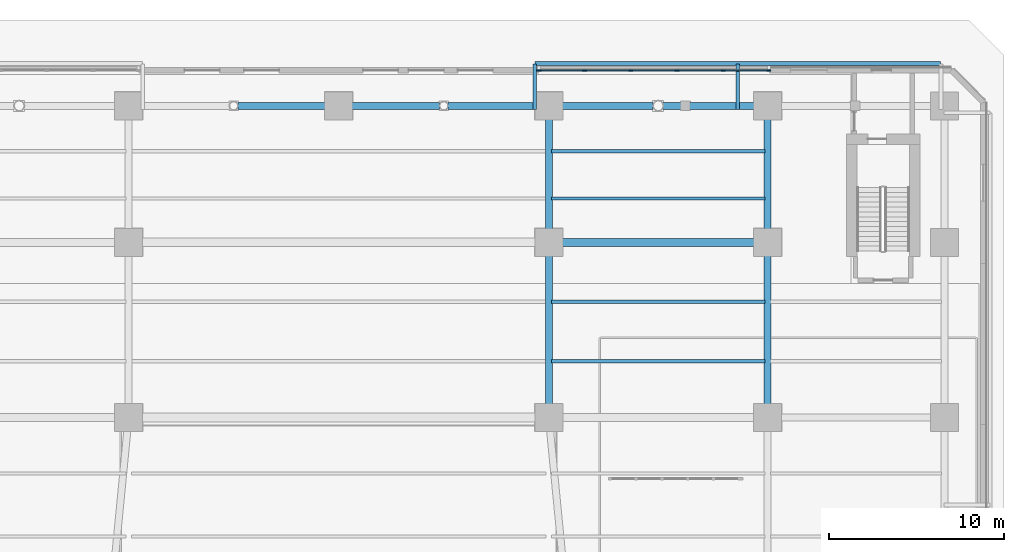
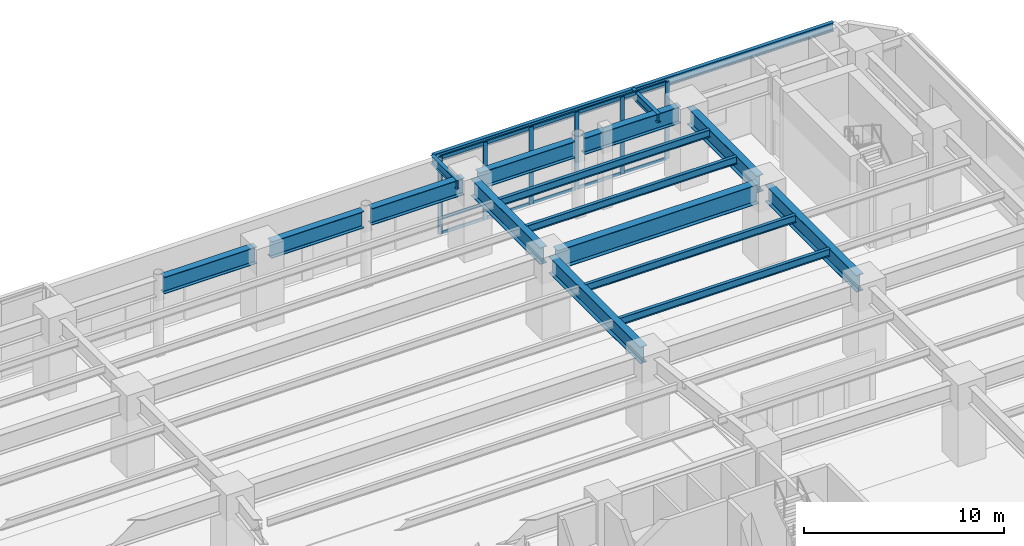
# One storey, part 11 of 26: 21 members, 17 beams, 1 element without a shape of its own.
"""IFC4 building model written with IfcOpenShell, lengths in metres."""

from ifc_helpers import new_model, si_unit, direction, frame, origin, origin_2d, place, context, subcontext, project, spatial, rectangle, i_section, extrude, material, material_profile, profile_set, type_object, element, aggregate, save


model = new_model("IFC4")

# Units and contexts
model_context = context("Model", 3, precision=1e-05, world=origin(), true_north=direction((0.0, 1.0)))
body_context = subcontext(model_context, "Body", "Model", "MODEL_VIEW")
ifc_project = project(units=[si_unit("LENGTHUNIT", "METRE"), si_unit("AREAUNIT", "SQUARE_METRE"), si_unit("VOLUMEUNIT", "CUBIC_METRE"), si_unit("PLANEANGLEUNIT", "RADIAN"), si_unit("MASSUNIT", "GRAM", prefix="KILO")], contexts=[model_context])

# Site, building, storey
site_placement = place(None, origin())
site = spatial("IfcSite", under=ifc_project, at=site_placement, CompositionType="ELEMENT")
building_placement = place(site_placement, origin())
building = spatial("IfcBuilding", under=site, at=building_placement, Name="Quenlor Broadcast Tower", CompositionType="ELEMENT")
storey_placement = place(building_placement, origin())
storey = spatial("IfcBuildingStorey", under=building, at=storey_placement, Name="L00", CompositionType="ELEMENT", Elevation=0.0)

# Curtain wall, members
ifc_material_1 = material(Name="Architectural Terracotta and Low-E Glazing", Category="masonry")
curtain_wall_type = type_object("IfcCurtainWallType", Name="Station Concourse and Crown Terracotta Curtain Wall", PredefinedType="NOTDEFINED", material=ifc_material_1)
curtain_wall_placement = place(storey_placement, origin())
curtain_wall = element("IfcCurtainWall", 1, at=curtain_wall_placement, inside=storey, type_object=curtain_wall_type, Name="L00 Curtain Wall CW6 (L00-N-E)", PredefinedType="NOTDEFINED")
ifc_material_2 = material(Name="Aluminium 6063-T6", Category="aluminium")
ifc_material_profile_1 = material_profile(ifc_material_2, rectangle(XDim=0.08203125, YDim=0.239990234375, at=origin_2d()))
ifc_profile_set_1 = profile_set([ifc_material_profile_1], Name="Aluminium 6063-T6 MULL82x240")
member_type_1 = type_object("IfcMemberType", Name="CW6 Aluminium Mullion MULL_CW6", PredefinedType="MULLION", material=ifc_profile_set_1)
member_1_placement = place(storey_placement, frame((11.44091796875, 24.820068359375, 0.0), z_axis=(0.0, 0.0, 1.0), x_axis=(0.0, 1.0, 0.0)))
member_1 = element("IfcMember", 2, at=member_1_placement, type_object=member_type_1, Name="CW6 mullion 1", PredefinedType="MULLION", context=body_context, shape_type="SweptSolid", body=[
    extrude(rectangle(XDim=0.08203125, YDim=0.239990234375, at=origin_2d()), origin(), (0.0, 0.0, 1.0), 4.699951171875),
])
member_2_placement = place(storey_placement, frame((14.0400390625, 24.820068359375, 0.0), z_axis=(0.0, 0.0, 1.0), x_axis=(0.0, 1.0, 0.0)))
member_2 = element("IfcMember", 3, at=member_2_placement, type_object=member_type_1, Name="CW6 mullion 2", PredefinedType="MULLION", context=body_context, shape_type="SweptSolid", body=[
    extrude(rectangle(XDim=0.08203125, YDim=0.239990234375, at=origin_2d()), origin(), (0.0, 0.0, 1.0), 4.699951171875),
])
member_3_placement = place(storey_placement, frame((16.679931640625, 24.820068359375, 0.0), z_axis=(0.0, 0.0, 1.0), x_axis=(0.0, 1.0, 0.0)))
member_3 = element("IfcMember", 4, at=member_3_placement, type_object=member_type_1, Name="CW6 mullion 3", PredefinedType="MULLION", context=body_context, shape_type="SweptSolid", body=[
    extrude(rectangle(XDim=0.08203125, YDim=0.239990234375, at=origin_2d()), origin(), (0.0, 0.0, 1.0), 4.699951171875),
])
member_4_placement = place(storey_placement, frame((19.320068359375, 24.820068359375, 0.0), z_axis=(0.0, 0.0, 1.0), x_axis=(0.0, 1.0, 0.0)))
member_4 = element("IfcMember", 5, at=member_4_placement, type_object=member_type_1, Name="CW6 mullion 4", PredefinedType="MULLION", context=body_context, shape_type="SweptSolid", body=[
    extrude(rectangle(XDim=0.08203125, YDim=0.239990234375, at=origin_2d()), origin(), (0.0, 0.0, 1.0), 4.699951171875),
])
member_5_placement = place(storey_placement, frame((21.9599609375, 24.820068359375, 0.0), z_axis=(0.0, 0.0, 1.0), x_axis=(0.0, 1.0, 0.0)))
member_5 = element("IfcMember", 6, at=member_5_placement, type_object=member_type_1, Name="CW6 mullion 5", PredefinedType="MULLION", context=body_context, shape_type="SweptSolid", body=[
    extrude(rectangle(XDim=0.08203125, YDim=0.239990234375, at=origin_2d()), origin(), (0.0, 0.0, 1.0), 4.699951171875),
])
member_6_placement = place(storey_placement, frame((24.55908203125, 24.820068359375, 0.0), z_axis=(0.0, 0.0, 1.0), x_axis=(0.0, 1.0, 0.0)))
member_6 = element("IfcMember", 7, at=member_6_placement, type_object=member_type_1, Name="CW6 mullion 6", PredefinedType="MULLION", context=body_context, shape_type="SweptSolid", body=[
    extrude(rectangle(XDim=0.08203125, YDim=0.239990234375, at=origin_2d()), origin(), (0.0, 0.0, 1.0), 4.699951171875),
])
ifc_material_3 = material(Name="Aluminium 6063-T6", Category="aluminium")
ifc_material_profile_2 = material_profile(ifc_material_3, rectangle(XDim=0.08203125, YDim=0.195068359375, at=origin_2d()))
ifc_profile_set_2 = profile_set([ifc_material_profile_2], Name="Aluminium 6063-T6 TRAN82x195")
member_type_2 = type_object("IfcMemberType", Name="CW6 Aluminium Transom TRAN_CW6", PredefinedType="USERDEFINED", material=ifc_profile_set_2)
member_7_placement = place(storey_placement, frame((11.48193359375, 24.820068359375, 0.041015625), z_axis=(1.0, 0.0, 0.0), x_axis=(0.0, 1.0, 0.0)))
member_7 = element("IfcMember", 8, at=member_7_placement, type_object=member_type_2, Name="CW6 transom 1.1", ObjectType="TRANSOM", PredefinedType="USERDEFINED", context=body_context, shape_type="SweptSolid", body=[
    extrude(rectangle(XDim=0.08203125, YDim=0.195068359375, at=origin_2d()), origin(), (0.0, 0.0, 1.0), 2.51708984375),
])
member_8_placement = place(storey_placement, frame((11.48193359375, 24.820068359375, 0.949951171875), z_axis=(1.0, 0.0, 0.0), x_axis=(0.0, 1.0, 0.0)))
member_8 = element("IfcMember", 9, at=member_8_placement, type_object=member_type_2, Name="CW6 transom 1.2", ObjectType="TRANSOM", PredefinedType="USERDEFINED", context=body_context, shape_type="SweptSolid", body=[
    extrude(rectangle(XDim=0.08203125, YDim=0.195068359375, at=origin_2d()), origin(), (0.0, 0.0, 1.0), 2.51708984375),
])
member_9_placement = place(storey_placement, frame((11.48193359375, 24.820068359375, 4.658935546875), z_axis=(1.0, 0.0, 0.0), x_axis=(0.0, 1.0, 0.0)))
member_9 = element("IfcMember", 10, at=member_9_placement, type_object=member_type_2, Name="CW6 transom 1.3", ObjectType="TRANSOM", PredefinedType="USERDEFINED", context=body_context, shape_type="SweptSolid", body=[
    extrude(rectangle(XDim=0.08203125, YDim=0.195068359375, at=origin_2d()), origin(), (0.0, 0.0, 1.0), 2.51708984375),
])
member_10_placement = place(storey_placement, frame((14.0810546875, 24.820068359375, 0.041015625), z_axis=(1.0, 0.0, 0.0), x_axis=(0.0, 1.0, 0.0)))
member_10 = element("IfcMember", 11, at=member_10_placement, type_object=member_type_2, Name="CW6 transom 2.1", ObjectType="TRANSOM", PredefinedType="USERDEFINED", context=body_context, shape_type="SweptSolid", body=[
    extrude(rectangle(XDim=0.08203125, YDim=0.195068359375, at=origin_2d()), origin(), (0.0, 0.0, 1.0), 2.557861328125),
])
member_11_placement = place(storey_placement, frame((14.0810546875, 24.820068359375, 0.949951171875), z_axis=(1.0, 0.0, 0.0), x_axis=(0.0, 1.0, 0.0)))
member_11 = element("IfcMember", 12, at=member_11_placement, type_object=member_type_2, Name="CW6 transom 2.2", ObjectType="TRANSOM", PredefinedType="USERDEFINED", context=body_context, shape_type="SweptSolid", body=[
    extrude(rectangle(XDim=0.08203125, YDim=0.195068359375, at=origin_2d()), origin(), (0.0, 0.0, 1.0), 2.557861328125),
])
member_12_placement = place(storey_placement, frame((14.0810546875, 24.820068359375, 4.658935546875), z_axis=(1.0, 0.0, 0.0), x_axis=(0.0, 1.0, 0.0)))
member_12 = element("IfcMember", 13, at=member_12_placement, type_object=member_type_2, Name="CW6 transom 2.3", ObjectType="TRANSOM", PredefinedType="USERDEFINED", context=body_context, shape_type="SweptSolid", body=[
    extrude(rectangle(XDim=0.08203125, YDim=0.195068359375, at=origin_2d()), origin(), (0.0, 0.0, 1.0), 2.557861328125),
])
member_13_placement = place(storey_placement, frame((16.720947265625, 24.820068359375, 0.041015625), z_axis=(1.0, 0.0, 0.0), x_axis=(0.0, 1.0, 0.0)))
member_13 = element("IfcMember", 14, at=member_13_placement, type_object=member_type_2, Name="CW6 transom 3.1", ObjectType="TRANSOM", PredefinedType="USERDEFINED", context=body_context, shape_type="SweptSolid", body=[
    extrude(rectangle(XDim=0.08203125, YDim=0.195068359375, at=origin_2d()), origin(), (0.0, 0.0, 1.0), 2.55810546875),
])
member_14_placement = place(storey_placement, frame((16.720947265625, 24.820068359375, 0.949951171875), z_axis=(1.0, 0.0, 0.0), x_axis=(0.0, 1.0, 0.0)))
member_14 = element("IfcMember", 15, at=member_14_placement, type_object=member_type_2, Name="CW6 transom 3.2", ObjectType="TRANSOM", PredefinedType="USERDEFINED", context=body_context, shape_type="SweptSolid", body=[
    extrude(rectangle(XDim=0.08203125, YDim=0.195068359375, at=origin_2d()), origin(), (0.0, 0.0, 1.0), 2.55810546875),
])
member_15_placement = place(storey_placement, frame((16.720947265625, 24.820068359375, 4.658935546875), z_axis=(1.0, 0.0, 0.0), x_axis=(0.0, 1.0, 0.0)))
member_15 = element("IfcMember", 16, at=member_15_placement, type_object=member_type_2, Name="CW6 transom 3.3", ObjectType="TRANSOM", PredefinedType="USERDEFINED", context=body_context, shape_type="SweptSolid", body=[
    extrude(rectangle(XDim=0.08203125, YDim=0.195068359375, at=origin_2d()), origin(), (0.0, 0.0, 1.0), 2.55810546875),
])
member_16_placement = place(storey_placement, frame((19.361083984375, 24.820068359375, 0.041015625), z_axis=(1.0, 0.0, 0.0), x_axis=(0.0, 1.0, 0.0)))
member_16 = element("IfcMember", 17, at=member_16_placement, type_object=member_type_2, Name="CW6 transom 4.1", ObjectType="TRANSOM", PredefinedType="USERDEFINED", context=body_context, shape_type="SweptSolid", body=[
    extrude(rectangle(XDim=0.08203125, YDim=0.195068359375, at=origin_2d()), origin(), (0.0, 0.0, 1.0), 2.557861328125),
])
member_17_placement = place(storey_placement, frame((19.361083984375, 24.820068359375, 0.949951171875), z_axis=(1.0, 0.0, 0.0), x_axis=(0.0, 1.0, 0.0)))
member_17 = element("IfcMember", 18, at=member_17_placement, type_object=member_type_2, Name="CW6 transom 4.2", ObjectType="TRANSOM", PredefinedType="USERDEFINED", context=body_context, shape_type="SweptSolid", body=[
    extrude(rectangle(XDim=0.08203125, YDim=0.195068359375, at=origin_2d()), origin(), (0.0, 0.0, 1.0), 2.557861328125),
])
member_18_placement = place(storey_placement, frame((19.361083984375, 24.820068359375, 4.658935546875), z_axis=(1.0, 0.0, 0.0), x_axis=(0.0, 1.0, 0.0)))
member_18 = element("IfcMember", 19, at=member_18_placement, type_object=member_type_2, Name="CW6 transom 4.3", ObjectType="TRANSOM", PredefinedType="USERDEFINED", context=body_context, shape_type="SweptSolid", body=[
    extrude(rectangle(XDim=0.08203125, YDim=0.195068359375, at=origin_2d()), origin(), (0.0, 0.0, 1.0), 2.557861328125),
])
member_19_placement = place(storey_placement, frame((22.0009765625, 24.820068359375, 0.041015625), z_axis=(1.0, 0.0, 0.0), x_axis=(0.0, 1.0, 0.0)))
member_19 = element("IfcMember", 20, at=member_19_placement, type_object=member_type_2, Name="CW6 transom 5.1", ObjectType="TRANSOM", PredefinedType="USERDEFINED", context=body_context, shape_type="SweptSolid", body=[
    extrude(rectangle(XDim=0.08203125, YDim=0.195068359375, at=origin_2d()), origin(), (0.0, 0.0, 1.0), 2.51708984375),
])
member_20_placement = place(storey_placement, frame((22.0009765625, 24.820068359375, 0.949951171875), z_axis=(1.0, 0.0, 0.0), x_axis=(0.0, 1.0, 0.0)))
member_20 = element("IfcMember", 21, at=member_20_placement, type_object=member_type_2, Name="CW6 transom 5.2", ObjectType="TRANSOM", PredefinedType="USERDEFINED", context=body_context, shape_type="SweptSolid", body=[
    extrude(rectangle(XDim=0.08203125, YDim=0.195068359375, at=origin_2d()), origin(), (0.0, 0.0, 1.0), 2.51708984375),
])
member_21_placement = place(storey_placement, frame((22.0009765625, 24.820068359375, 4.658935546875), z_axis=(1.0, 0.0, 0.0), x_axis=(0.0, 1.0, 0.0)))
member_21 = element("IfcMember", 22, at=member_21_placement, type_object=member_type_2, Name="CW6 transom 5.3", ObjectType="TRANSOM", PredefinedType="USERDEFINED", context=body_context, shape_type="SweptSolid", body=[
    extrude(rectangle(XDim=0.08203125, YDim=0.195068359375, at=origin_2d()), origin(), (0.0, 0.0, 1.0), 2.51708984375),
])
aggregate(curtain_wall, [member_1, member_2, member_3, member_4, member_5, member_6, member_7, member_8, member_9, member_10, member_11, member_12, member_13, member_14, member_15, member_16, member_17, member_18, member_19, member_20, member_21])

# Beams
ifc_material_4 = material(Name="Steel S355", Category="steel")
ifc_material_profile_3 = material_profile(ifc_material_4, i_section(OverallWidth=0.208984375, OverallDepth=0.532958984375, WebThickness=0.01025390625, FlangeThickness=0.015625, FilletRadius=0.013916015625, at=origin_2d()))
ifc_profile_set_3 = profile_set([ifc_material_profile_3], Name="Steel S355 530UB92.4")
beam_type_1 = type_object("IfcBeamType", Name="Perimeter Spandrel Beam Z1 Steel S355 530UB92.4", PredefinedType="SPANDREL", material=ifc_profile_set_3)
for number, where, z_axis, x_axis, name in (
    (23, (11.199951171875, 22.5849609375, 4.43359375), (0.0, 1.0, 0.0), (-1.0, 0.0, 0.0), "L00 Podium Lattice Sill Tie NE1"),
    (24, (22.800048828125, 22.5849609375, 4.43359375), (0.0, 1.0, 0.0), (-1.0, 0.0, 0.0), "L00 Podium Lattice Sill Tie NE3"),
):
    element("IfcBeam", number, at=place(storey_placement, frame(where, z_axis=z_axis, x_axis=x_axis)), inside=storey, type_object=beam_type_1, Name=name, PredefinedType="SPANDREL", context=body_context, shape_type="SweptSolid", body=[
        extrude(i_section(OverallWidth=0.208984375, OverallDepth=0.532958984375, WebThickness=0.01025390625, FlangeThickness=0.015625, FilletRadius=0.013916015625, at=origin_2d()), origin(), (0.0, 0.0, 1.0), 2.610107421875),
    ])
beam_1_placement = place(storey_placement, frame((11.219970703125, 25.215087890625, 4.43359375), z_axis=(1.0, 0.0, 0.0), x_axis=(0.0, 1.0, 0.0)))
element("IfcBeam", 25, at=beam_1_placement, inside=storey, type_object=beam_type_1, Name="L00 Podium Lattice Sill Girder NE", PredefinedType="SPANDREL", context=body_context, shape_type="SweptSolid", body=[
    extrude(i_section(OverallWidth=0.208984375, OverallDepth=0.532958984375, WebThickness=0.01025390625, FlangeThickness=0.015625, FilletRadius=0.013916015625, at=origin_2d()), origin(), (0.0, 0.0, 1.0), 23.159912109375),
])
ifc_material_5 = material(Name="Steel S355", Category="steel")
ifc_material_profile_4 = material_profile(ifc_material_5, i_section(OverallWidth=0.39990234375, OverallDepth=1.02392578125, WebThickness=0.01611328125, FlangeThickness=0.031982421875, FilletRadius=0.01611328125, at=origin_2d()))
ifc_profile_set_4 = profile_set([ifc_material_profile_4], Name="Steel S355 1000WB322")
beam_type_2 = type_object("IfcBeamType", Name="Podium Concourse Girder Steel S355 1000WB322", PredefinedType="BEAM", material=ifc_profile_set_4)
for number, where, z_axis, x_axis, name in (
    (26, (-5.76611328125, 22.800048828125, 4.18798828125), (1.0, 0.0, 0.0), (0.0, 1.0, 0.0), "L00 Podium Girder 28"),
    (27, (0.419921875, 22.800048828125, 4.18798828125), (1.0, 0.0, 0.0), (0.0, 1.0, 0.0), "L00 Podium Girder 29"),
    (28, (6.23388671875, 22.800048828125, 4.18798828125), (1.0, 0.0, 0.0), (0.0, 1.0, 0.0), "L00 Podium Girder 30"),
):
    element("IfcBeam", number, at=place(storey_placement, frame(where, z_axis=z_axis, x_axis=x_axis)), inside=storey, type_object=beam_type_2, Name=name, PredefinedType="BEAM", context=body_context, shape_type="SweptSolid", body=[
        extrude(i_section(OverallWidth=0.39990234375, OverallDepth=1.02392578125, WebThickness=0.01611328125, FlangeThickness=0.031982421875, FilletRadius=0.01611328125, at=origin_2d()), origin(), (0.0, 0.0, 1.0), 5.34619140625),
    ])
for number, where, z_axis, x_axis, name in (
    (29, (12.419921875, 22.800048828125, 4.18798828125), (1.0, 0.0, 0.0), (0.0, 1.0, 0.0), "L00 Podium Girder 31"),
    (30, (18.534912109375, 22.800048828125, 4.18798828125), (1.0, 0.0, 0.0), (0.0, 1.0, 0.0), "L00 Podium Girder 32"),
):
    element("IfcBeam", number, at=place(storey_placement, frame(where, z_axis=z_axis, x_axis=x_axis)), inside=storey, type_object=beam_type_2, Name=name, PredefinedType="BEAM", context=body_context, shape_type="SweptSolid", body=[
        extrude(i_section(OverallWidth=0.39990234375, OverallDepth=1.02392578125, WebThickness=0.01611328125, FlangeThickness=0.031982421875, FilletRadius=0.01611328125, at=origin_2d()), origin(), (0.0, 0.0, 1.0), 5.545166015625),
    ])
beam_2_placement = place(storey_placement, frame((24.5, 5.419921875, 4.18798828125), z_axis=(0.0, 1.0, 0.0), x_axis=(-1.0, 0.0, 0.0)))
element("IfcBeam", 31, at=beam_2_placement, inside=storey, type_object=beam_type_2, Name="L00 Podium Girder 47", PredefinedType="BEAM", context=body_context, shape_type="SweptSolid", body=[
    extrude(i_section(OverallWidth=0.39990234375, OverallDepth=1.02392578125, WebThickness=0.01611328125, FlangeThickness=0.031982421875, FilletRadius=0.01611328125, at=origin_2d()), origin(), (0.0, 0.0, 1.0), 9.16015625),
])
beam_3_placement = place(storey_placement, frame((24.5, 15.419921875, 4.18798828125), z_axis=(0.0, 1.0, 0.0), x_axis=(-1.0, 0.0, 0.0)))
element("IfcBeam", 32, at=beam_3_placement, inside=storey, type_object=beam_type_2, Name="L00 Podium Girder 48", PredefinedType="BEAM", context=body_context, shape_type="SweptSolid", body=[
    extrude(i_section(OverallWidth=0.39990234375, OverallDepth=1.02392578125, WebThickness=0.01611328125, FlangeThickness=0.031982421875, FilletRadius=0.01611328125, at=origin_2d()), origin(), (0.0, 0.0, 1.0), 6.9599609375),
])
beam_4_placement = place(storey_placement, frame((12.0, 5.419921875, 4.18798828125), z_axis=(0.0, 1.0, 0.0), x_axis=(-1.0, 0.0, 0.0)))
element("IfcBeam", 33, at=beam_4_placement, inside=storey, type_object=beam_type_2, Name="L00 Podium Girder 56", PredefinedType="BEAM", context=body_context, shape_type="SweptSolid", body=[
    extrude(i_section(OverallWidth=0.39990234375, OverallDepth=1.02392578125, WebThickness=0.01611328125, FlangeThickness=0.031982421875, FilletRadius=0.01611328125, at=origin_2d()), origin(), (0.0, 0.0, 1.0), 9.16015625),
])
beam_5_placement = place(storey_placement, frame((12.0, 15.419921875, 4.18798828125), z_axis=(0.0, 1.0, 0.0), x_axis=(-1.0, 0.0, 0.0)))
element("IfcBeam", 34, at=beam_5_placement, inside=storey, type_object=beam_type_2, Name="L00 Podium Girder 57", PredefinedType="BEAM", context=body_context, shape_type="SweptSolid", body=[
    extrude(i_section(OverallWidth=0.39990234375, OverallDepth=1.02392578125, WebThickness=0.01611328125, FlangeThickness=0.031982421875, FilletRadius=0.01611328125, at=origin_2d()), origin(), (0.0, 0.0, 1.0), 6.9599609375),
])
ifc_material_6 = material(Name="Steel S355", Category="steel")
ifc_material_profile_5 = material_profile(ifc_material_6, i_section(OverallWidth=0.18994140625, OverallDepth=0.453857421875, WebThickness=0.008544921875, FlangeThickness=0.0126953125, FilletRadius=0.011474609375, at=origin_2d()))
ifc_profile_set_5 = profile_set([ifc_material_profile_5], Name="Steel S355 460UB67.1")
beam_type_3 = type_object("IfcBeamType", Name="Podium Floor Joist Steel S355 460UB67.1", PredefinedType="JOIST", material=ifc_profile_set_5)
for number, where, z_axis, x_axis, name in (
    (35, (12.159912109375, 8.199951171875, 4.47314453125), (1.0, 0.0, 0.0), (0.0, 1.0, 0.0), "L00 Podium Floor Joist 4"),
    (36, (12.159912109375, 11.60009765625, 4.47314453125), (1.0, 0.0, 0.0), (0.0, 1.0, 0.0), "L00 Podium Floor Joist 9"),
    (37, (12.159912109375, 17.5, 4.47314453125), (1.0, 0.0, 0.0), (0.0, 1.0, 0.0), "L00 Podium Floor Joist 14"),
    (38, (12.159912109375, 20.199951171875, 4.47314453125), (1.0, 0.0, 0.0), (0.0, 1.0, 0.0), "L00 Podium Floor Joist 19"),
):
    element("IfcBeam", number, at=place(storey_placement, frame(where, z_axis=z_axis, x_axis=x_axis)), inside=storey, type_object=beam_type_3, Name=name, PredefinedType="JOIST", context=body_context, shape_type="SweptSolid", body=[
        extrude(i_section(OverallWidth=0.18994140625, OverallDepth=0.453857421875, WebThickness=0.008544921875, FlangeThickness=0.0126953125, FilletRadius=0.011474609375, at=origin_2d()), origin(), (0.0, 0.0, 1.0), 12.18017578125),
    ])
ifc_material_7 = material(Name="Steel S355", Category="steel")
ifc_material_profile_6 = material_profile(ifc_material_7, i_section(OverallWidth=0.449951171875, OverallDepth=1.18798828125, WebThickness=0.01806640625, FlangeThickness=0.031982421875, FilletRadius=0.01611328125, at=origin_2d()))
ifc_profile_set_6 = profile_set([ifc_material_profile_6], Name="Steel S355 1200WB392")
beam_type_4 = type_object("IfcBeamType", Name="Podium Secondary Studio Girder Steel S355 1200WB392", PredefinedType="BEAM", material=ifc_profile_set_6)
beam_6_placement = place(storey_placement, frame((12.419921875, 15.0, 4.10595703125), z_axis=(1.0, 0.0, 0.0), x_axis=(0.0, 1.0, 0.0)))
element("IfcBeam", 39, at=beam_6_placement, inside=storey, type_object=beam_type_4, Name="L00 Podium Girder 22", PredefinedType="BEAM", context=body_context, shape_type="SweptSolid", body=[
    extrude(i_section(OverallWidth=0.449951171875, OverallDepth=1.18798828125, WebThickness=0.01806640625, FlangeThickness=0.031982421875, FilletRadius=0.01611328125, at=origin_2d()), origin(), (0.0, 0.0, 1.0), 11.66015625),
])

save(model, "model.ifc")
